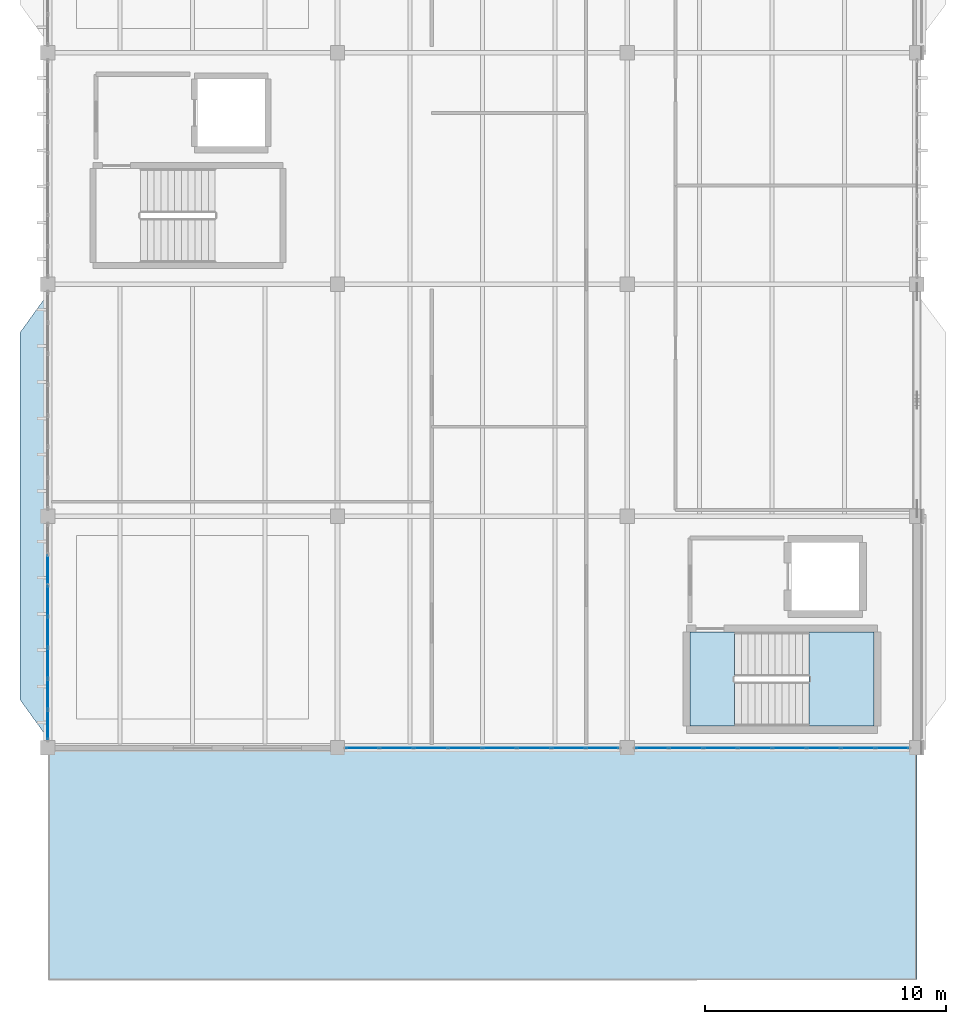
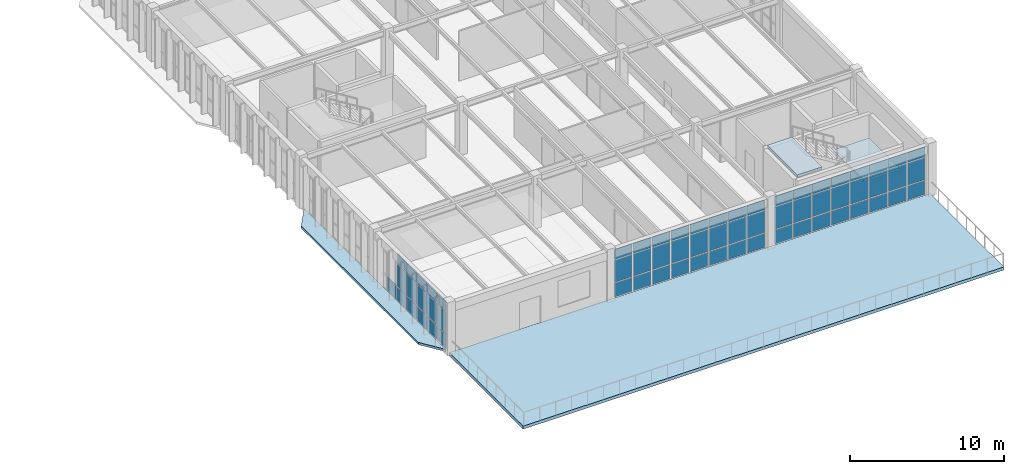
# One storey, part 26 of 37: 64 plates, 4 slabs, 4 elements without a shape of their own.
"""IFC4 building model written with IfcOpenShell, lengths in metres."""

from ifc_helpers import new_model, si_unit, direction, frame, origin, origin_2d, place, context, subcontext, project, spatial, polyline, rectangle, outline, extrude, material, layer, layer_set, type_object, element, aggregate, save


model = new_model("IFC4")

# Units and contexts
model_context = context("Model", 3, precision=1e-05, world=origin(), true_north=direction((0.0, 1.0)))
body_context = subcontext(model_context, "Body", "Model", "MODEL_VIEW")
ifc_project = project(units=[si_unit("LENGTHUNIT", "METRE"), si_unit("AREAUNIT", "SQUARE_METRE"), si_unit("VOLUMEUNIT", "CUBIC_METRE"), si_unit("PLANEANGLEUNIT", "RADIAN"), si_unit("MASSUNIT", "GRAM", prefix="KILO")], contexts=[model_context])

# Site, building, storey
site_placement = place(None, origin())
site = spatial("IfcSite", under=ifc_project, at=site_placement, CompositionType="ELEMENT")
building_placement = place(site_placement, origin())
building = spatial("IfcBuilding", under=site, at=building_placement, Name="Pandanus Reach Market Hall", CompositionType="ELEMENT")
storey_placement = place(building_placement, frame((0.0, 0.0, 14.39990234375)))
storey = spatial("IfcBuildingStorey", under=building, at=storey_placement, Name="L03", CompositionType="ELEMENT", Elevation=14.39990234375)

# Curtain wall, plates
ifc_material_1 = material(Name="Bronze anodised aluminium and low-E glass", Category="aluminium")
ifc_layer_1 = layer(ifc_material_1, 0.159912109375, Name="CW-30")
ifc_layer_set_1 = layer_set([ifc_layer_1], Name="Bronze anodised aluminium and low-E glass")
curtain_wall_type_1 = type_object("IfcCurtainWallType", Name="CW-30", PredefinedType="NOTDEFINED", material=ifc_layer_set_1)
curtain_wall_1_placement = place(storey_placement, origin())
curtain_wall_1 = element("IfcCurtainWall", 1, at=curtain_wall_1_placement, inside=storey, type_object=curtain_wall_type_1, Name="Glazed curtain wall CW-30 CW-0116", PredefinedType="NOTDEFINED")
ifc_material_2 = material(Name="Solar-control double glazing", Category="glass")
ifc_layer_2 = layer(ifc_material_2, 0.028076171875, Name="CW-P1")
ifc_layer_set_2 = layer_set([ifc_layer_2], Name="Solar-control double glazing")
plate_type = type_object("IfcPlateType", Name="CW-P1", PredefinedType="CURTAIN_PANEL", material=ifc_layer_set_2)
plate_1_placement = place(storey_placement, frame((157.02880859375, 28.800048828125, 0.065185546875), z_axis=(0.0, 0.0, 1.0), x_axis=(1.0, 0.0, 0.0)))
plate_1 = element("IfcPlate", 2, at=plate_1_placement, type_object=plate_type, Name="CW-30 panel 1.1", PredefinedType="CURTAIN_PANEL", context=body_context, shape_type="SweptSolid", body=[
    extrude(rectangle(XDim=1.327392578125, YDim=0.028076171875, at=origin_2d()), origin(), (0.0, 0.0, 1.0), 1.1025390625),
])
plate_2_placement = place(storey_placement, frame((157.02880859375, 28.800048828125, 1.232421875), z_axis=(0.0, 0.0, 1.0), x_axis=(1.0, 0.0, 0.0)))
plate_2 = element("IfcPlate", 3, at=plate_2_placement, type_object=plate_type, Name="CW-30 panel 1.2", PredefinedType="CURTAIN_PANEL", context=body_context, shape_type="SweptSolid", body=[
    extrude(rectangle(XDim=1.327392578125, YDim=0.028076171875, at=origin_2d()), origin(), (0.0, 0.0, 1.0), 1.735107421875),
])
plate_3_placement = place(storey_placement, frame((157.02880859375, 28.800048828125, 3.03271484375), z_axis=(0.0, 0.0, 1.0), x_axis=(1.0, 0.0, 0.0)))
plate_3 = element("IfcPlate", 4, at=plate_3_placement, type_object=plate_type, Name="CW-30 panel 1.3", PredefinedType="CURTAIN_PANEL", context=body_context, shape_type="SweptSolid", body=[
    extrude(rectangle(XDim=1.327392578125, YDim=0.028076171875, at=origin_2d()), origin(), (0.0, 0.0, 1.0), 0.802490234375),
])
plate_4_placement = place(storey_placement, frame((158.4375, 28.800048828125, 0.065185546875), z_axis=(0.0, 0.0, 1.0), x_axis=(1.0, 0.0, 0.0)))
plate_4 = element("IfcPlate", 5, at=plate_4_placement, type_object=plate_type, Name="CW-30 panel 2.1", PredefinedType="CURTAIN_PANEL", context=body_context, shape_type="SweptSolid", body=[
    extrude(rectangle(XDim=1.360107421875, YDim=0.028076171875, at=origin_2d()), origin(), (0.0, 0.0, 1.0), 1.1025390625),
])
plate_5_placement = place(storey_placement, frame((158.4375, 28.800048828125, 1.232421875), z_axis=(0.0, 0.0, 1.0), x_axis=(1.0, 0.0, 0.0)))
plate_5 = element("IfcPlate", 6, at=plate_5_placement, type_object=plate_type, Name="CW-30 panel 2.2", PredefinedType="CURTAIN_PANEL", context=body_context, shape_type="SweptSolid", body=[
    extrude(rectangle(XDim=1.360107421875, YDim=0.028076171875, at=origin_2d()), origin(), (0.0, 0.0, 1.0), 1.735107421875),
])
plate_6_placement = place(storey_placement, frame((158.4375, 28.800048828125, 3.03271484375), z_axis=(0.0, 0.0, 1.0), x_axis=(1.0, 0.0, 0.0)))
plate_6 = element("IfcPlate", 7, at=plate_6_placement, type_object=plate_type, Name="CW-30 panel 2.3", PredefinedType="CURTAIN_PANEL", context=body_context, shape_type="SweptSolid", body=[
    extrude(rectangle(XDim=1.360107421875, YDim=0.028076171875, at=origin_2d()), origin(), (0.0, 0.0, 1.0), 0.802490234375),
])
plate_7_placement = place(storey_placement, frame((159.862548828125, 28.800048828125, 0.065185546875), z_axis=(0.0, 0.0, 1.0), x_axis=(1.0, 0.0, 0.0)))
plate_7 = element("IfcPlate", 8, at=plate_7_placement, type_object=plate_type, Name="CW-30 panel 3.1", PredefinedType="CURTAIN_PANEL", context=body_context, shape_type="SweptSolid", body=[
    extrude(rectangle(XDim=1.360107421875, YDim=0.028076171875, at=origin_2d()), origin(), (0.0, 0.0, 1.0), 1.1025390625),
])
plate_8_placement = place(storey_placement, frame((159.862548828125, 28.800048828125, 1.232421875), z_axis=(0.0, 0.0, 1.0), x_axis=(1.0, 0.0, 0.0)))
plate_8 = element("IfcPlate", 9, at=plate_8_placement, type_object=plate_type, Name="CW-30 panel 3.2", PredefinedType="CURTAIN_PANEL", context=body_context, shape_type="SweptSolid", body=[
    extrude(rectangle(XDim=1.360107421875, YDim=0.028076171875, at=origin_2d()), origin(), (0.0, 0.0, 1.0), 1.735107421875),
])
plate_9_placement = place(storey_placement, frame((159.862548828125, 28.800048828125, 3.03271484375), z_axis=(0.0, 0.0, 1.0), x_axis=(1.0, 0.0, 0.0)))
plate_9 = element("IfcPlate", 10, at=plate_9_placement, type_object=plate_type, Name="CW-30 panel 3.3", PredefinedType="CURTAIN_PANEL", context=body_context, shape_type="SweptSolid", body=[
    extrude(rectangle(XDim=1.360107421875, YDim=0.028076171875, at=origin_2d()), origin(), (0.0, 0.0, 1.0), 0.802490234375),
])
plate_10_placement = place(storey_placement, frame((161.28759765625, 28.800048828125, 0.065185546875), z_axis=(0.0, 0.0, 1.0), x_axis=(1.0, 0.0, 0.0)))
plate_10 = element("IfcPlate", 11, at=plate_10_placement, type_object=plate_type, Name="CW-30 panel 4.1", PredefinedType="CURTAIN_PANEL", context=body_context, shape_type="SweptSolid", body=[
    extrude(rectangle(XDim=1.360107421875, YDim=0.028076171875, at=origin_2d()), origin(), (0.0, 0.0, 1.0), 1.1025390625),
])
plate_11_placement = place(storey_placement, frame((161.28759765625, 28.800048828125, 1.232421875), z_axis=(0.0, 0.0, 1.0), x_axis=(1.0, 0.0, 0.0)))
plate_11 = element("IfcPlate", 12, at=plate_11_placement, type_object=plate_type, Name="CW-30 panel 4.2", PredefinedType="CURTAIN_PANEL", context=body_context, shape_type="SweptSolid", body=[
    extrude(rectangle(XDim=1.360107421875, YDim=0.028076171875, at=origin_2d()), origin(), (0.0, 0.0, 1.0), 1.735107421875),
])
plate_12_placement = place(storey_placement, frame((161.28759765625, 28.800048828125, 3.03271484375), z_axis=(0.0, 0.0, 1.0), x_axis=(1.0, 0.0, 0.0)))
plate_12 = element("IfcPlate", 13, at=plate_12_placement, type_object=plate_type, Name="CW-30 panel 4.3", PredefinedType="CURTAIN_PANEL", context=body_context, shape_type="SweptSolid", body=[
    extrude(rectangle(XDim=1.360107421875, YDim=0.028076171875, at=origin_2d()), origin(), (0.0, 0.0, 1.0), 0.802490234375),
])
plate_13_placement = place(storey_placement, frame((162.71240234375, 28.800048828125, 0.065185546875), z_axis=(0.0, 0.0, 1.0), x_axis=(1.0, 0.0, 0.0)))
plate_13 = element("IfcPlate", 14, at=plate_13_placement, type_object=plate_type, Name="CW-30 panel 5.1", PredefinedType="CURTAIN_PANEL", context=body_context, shape_type="SweptSolid", body=[
    extrude(rectangle(XDim=1.360107421875, YDim=0.028076171875, at=origin_2d()), origin(), (0.0, 0.0, 1.0), 1.1025390625),
])
plate_14_placement = place(storey_placement, frame((162.71240234375, 28.800048828125, 1.232421875), z_axis=(0.0, 0.0, 1.0), x_axis=(1.0, 0.0, 0.0)))
plate_14 = element("IfcPlate", 15, at=plate_14_placement, type_object=plate_type, Name="CW-30 panel 5.2", PredefinedType="CURTAIN_PANEL", context=body_context, shape_type="SweptSolid", body=[
    extrude(rectangle(XDim=1.360107421875, YDim=0.028076171875, at=origin_2d()), origin(), (0.0, 0.0, 1.0), 1.735107421875),
])
plate_15_placement = place(storey_placement, frame((162.71240234375, 28.800048828125, 3.03271484375), z_axis=(0.0, 0.0, 1.0), x_axis=(1.0, 0.0, 0.0)))
plate_15 = element("IfcPlate", 16, at=plate_15_placement, type_object=plate_type, Name="CW-30 panel 5.3", PredefinedType="CURTAIN_PANEL", context=body_context, shape_type="SweptSolid", body=[
    extrude(rectangle(XDim=1.360107421875, YDim=0.028076171875, at=origin_2d()), origin(), (0.0, 0.0, 1.0), 0.802490234375),
])
plate_16_placement = place(storey_placement, frame((164.137451171875, 28.800048828125, 0.065185546875), z_axis=(0.0, 0.0, 1.0), x_axis=(1.0, 0.0, 0.0)))
plate_16 = element("IfcPlate", 17, at=plate_16_placement, type_object=plate_type, Name="CW-30 panel 6.1", PredefinedType="CURTAIN_PANEL", context=body_context, shape_type="SweptSolid", body=[
    extrude(rectangle(XDim=1.360107421875, YDim=0.028076171875, at=origin_2d()), origin(), (0.0, 0.0, 1.0), 1.1025390625),
])
plate_17_placement = place(storey_placement, frame((164.137451171875, 28.800048828125, 1.232421875), z_axis=(0.0, 0.0, 1.0), x_axis=(1.0, 0.0, 0.0)))
plate_17 = element("IfcPlate", 18, at=plate_17_placement, type_object=plate_type, Name="CW-30 panel 6.2", PredefinedType="CURTAIN_PANEL", context=body_context, shape_type="SweptSolid", body=[
    extrude(rectangle(XDim=1.360107421875, YDim=0.028076171875, at=origin_2d()), origin(), (0.0, 0.0, 1.0), 1.735107421875),
])
plate_18_placement = place(storey_placement, frame((164.137451171875, 28.800048828125, 3.03271484375), z_axis=(0.0, 0.0, 1.0), x_axis=(1.0, 0.0, 0.0)))
plate_18 = element("IfcPlate", 19, at=plate_18_placement, type_object=plate_type, Name="CW-30 panel 6.3", PredefinedType="CURTAIN_PANEL", context=body_context, shape_type="SweptSolid", body=[
    extrude(rectangle(XDim=1.360107421875, YDim=0.028076171875, at=origin_2d()), origin(), (0.0, 0.0, 1.0), 0.802490234375),
])
plate_19_placement = place(storey_placement, frame((165.5625, 28.800048828125, 0.065185546875), z_axis=(0.0, 0.0, 1.0), x_axis=(1.0, 0.0, 0.0)))
plate_19 = element("IfcPlate", 20, at=plate_19_placement, type_object=plate_type, Name="CW-30 panel 7.1", PredefinedType="CURTAIN_PANEL", context=body_context, shape_type="SweptSolid", body=[
    extrude(rectangle(XDim=1.360107421875, YDim=0.028076171875, at=origin_2d()), origin(), (0.0, 0.0, 1.0), 1.1025390625),
])
plate_20_placement = place(storey_placement, frame((165.5625, 28.800048828125, 1.232421875), z_axis=(0.0, 0.0, 1.0), x_axis=(1.0, 0.0, 0.0)))
plate_20 = element("IfcPlate", 21, at=plate_20_placement, type_object=plate_type, Name="CW-30 panel 7.2", PredefinedType="CURTAIN_PANEL", context=body_context, shape_type="SweptSolid", body=[
    extrude(rectangle(XDim=1.360107421875, YDim=0.028076171875, at=origin_2d()), origin(), (0.0, 0.0, 1.0), 1.735107421875),
])
plate_21_placement = place(storey_placement, frame((165.5625, 28.800048828125, 3.03271484375), z_axis=(0.0, 0.0, 1.0), x_axis=(1.0, 0.0, 0.0)))
plate_21 = element("IfcPlate", 22, at=plate_21_placement, type_object=plate_type, Name="CW-30 panel 7.3", PredefinedType="CURTAIN_PANEL", context=body_context, shape_type="SweptSolid", body=[
    extrude(rectangle(XDim=1.360107421875, YDim=0.028076171875, at=origin_2d()), origin(), (0.0, 0.0, 1.0), 0.802490234375),
])
plate_22_placement = place(storey_placement, frame((166.97119140625, 28.800048828125, 0.065185546875), z_axis=(0.0, 0.0, 1.0), x_axis=(1.0, 0.0, 0.0)))
plate_22 = element("IfcPlate", 23, at=plate_22_placement, type_object=plate_type, Name="CW-30 panel 8.1", PredefinedType="CURTAIN_PANEL", context=body_context, shape_type="SweptSolid", body=[
    extrude(rectangle(XDim=1.327392578125, YDim=0.028076171875, at=origin_2d()), origin(), (0.0, 0.0, 1.0), 1.1025390625),
])
plate_23_placement = place(storey_placement, frame((166.97119140625, 28.800048828125, 1.232421875), z_axis=(0.0, 0.0, 1.0), x_axis=(1.0, 0.0, 0.0)))
plate_23 = element("IfcPlate", 24, at=plate_23_placement, type_object=plate_type, Name="CW-30 panel 8.2", PredefinedType="CURTAIN_PANEL", context=body_context, shape_type="SweptSolid", body=[
    extrude(rectangle(XDim=1.327392578125, YDim=0.028076171875, at=origin_2d()), origin(), (0.0, 0.0, 1.0), 1.735107421875),
])
plate_24_placement = place(storey_placement, frame((166.97119140625, 28.800048828125, 3.03271484375), z_axis=(0.0, 0.0, 1.0), x_axis=(1.0, 0.0, 0.0)))
plate_24 = element("IfcPlate", 25, at=plate_24_placement, type_object=plate_type, Name="CW-30 panel 8.3", PredefinedType="CURTAIN_PANEL", context=body_context, shape_type="SweptSolid", body=[
    extrude(rectangle(XDim=1.327392578125, YDim=0.028076171875, at=origin_2d()), origin(), (0.0, 0.0, 1.0), 0.802490234375),
])
aggregate(curtain_wall_1, [plate_1, plate_2, plate_3, plate_4, plate_5, plate_6, plate_7, plate_8, plate_9, plate_10, plate_11, plate_12, plate_13, plate_14, plate_15, plate_16, plate_17, plate_18, plate_19, plate_20, plate_21, plate_22, plate_23, plate_24])

curtain_wall_2_placement = place(storey_placement, origin())
curtain_wall_2 = element("IfcCurtainWall", 26, at=curtain_wall_2_placement, inside=storey, type_object=curtain_wall_type_1, Name="Glazed curtain wall CW-30 CW-0117", PredefinedType="NOTDEFINED")
plate_25_placement = place(storey_placement, frame((169.02880859375, 28.800048828125, 0.065185546875), z_axis=(0.0, 0.0, 1.0), x_axis=(1.0, 0.0, 0.0)))
plate_25 = element("IfcPlate", 27, at=plate_25_placement, type_object=plate_type, Name="CW-30 panel 1.1", PredefinedType="CURTAIN_PANEL", context=body_context, shape_type="SweptSolid", body=[
    extrude(rectangle(XDim=1.327392578125, YDim=0.028076171875, at=origin_2d()), origin(), (0.0, 0.0, 1.0), 1.1025390625),
])
plate_26_placement = place(storey_placement, frame((169.02880859375, 28.800048828125, 1.232421875), z_axis=(0.0, 0.0, 1.0), x_axis=(1.0, 0.0, 0.0)))
plate_26 = element("IfcPlate", 28, at=plate_26_placement, type_object=plate_type, Name="CW-30 panel 1.2", PredefinedType="CURTAIN_PANEL", context=body_context, shape_type="SweptSolid", body=[
    extrude(rectangle(XDim=1.327392578125, YDim=0.028076171875, at=origin_2d()), origin(), (0.0, 0.0, 1.0), 1.735107421875),
])
plate_27_placement = place(storey_placement, frame((169.02880859375, 28.800048828125, 3.03271484375), z_axis=(0.0, 0.0, 1.0), x_axis=(1.0, 0.0, 0.0)))
plate_27 = element("IfcPlate", 29, at=plate_27_placement, type_object=plate_type, Name="CW-30 panel 1.3", PredefinedType="CURTAIN_PANEL", context=body_context, shape_type="SweptSolid", body=[
    extrude(rectangle(XDim=1.327392578125, YDim=0.028076171875, at=origin_2d()), origin(), (0.0, 0.0, 1.0), 0.802490234375),
])
plate_28_placement = place(storey_placement, frame((170.4375, 28.800048828125, 0.065185546875), z_axis=(0.0, 0.0, 1.0), x_axis=(1.0, 0.0, 0.0)))
plate_28 = element("IfcPlate", 30, at=plate_28_placement, type_object=plate_type, Name="CW-30 panel 2.1", PredefinedType="CURTAIN_PANEL", context=body_context, shape_type="SweptSolid", body=[
    extrude(rectangle(XDim=1.360107421875, YDim=0.028076171875, at=origin_2d()), origin(), (0.0, 0.0, 1.0), 1.1025390625),
])
plate_29_placement = place(storey_placement, frame((170.4375, 28.800048828125, 1.232421875), z_axis=(0.0, 0.0, 1.0), x_axis=(1.0, 0.0, 0.0)))
plate_29 = element("IfcPlate", 31, at=plate_29_placement, type_object=plate_type, Name="CW-30 panel 2.2", PredefinedType="CURTAIN_PANEL", context=body_context, shape_type="SweptSolid", body=[
    extrude(rectangle(XDim=1.360107421875, YDim=0.028076171875, at=origin_2d()), origin(), (0.0, 0.0, 1.0), 1.735107421875),
])
plate_30_placement = place(storey_placement, frame((170.4375, 28.800048828125, 3.03271484375), z_axis=(0.0, 0.0, 1.0), x_axis=(1.0, 0.0, 0.0)))
plate_30 = element("IfcPlate", 32, at=plate_30_placement, type_object=plate_type, Name="CW-30 panel 2.3", PredefinedType="CURTAIN_PANEL", context=body_context, shape_type="SweptSolid", body=[
    extrude(rectangle(XDim=1.360107421875, YDim=0.028076171875, at=origin_2d()), origin(), (0.0, 0.0, 1.0), 0.802490234375),
])
plate_31_placement = place(storey_placement, frame((171.862548828125, 28.800048828125, 0.065185546875), z_axis=(0.0, 0.0, 1.0), x_axis=(1.0, 0.0, 0.0)))
plate_31 = element("IfcPlate", 33, at=plate_31_placement, type_object=plate_type, Name="CW-30 panel 3.1", PredefinedType="CURTAIN_PANEL", context=body_context, shape_type="SweptSolid", body=[
    extrude(rectangle(XDim=1.360107421875, YDim=0.028076171875, at=origin_2d()), origin(), (0.0, 0.0, 1.0), 1.1025390625),
])
plate_32_placement = place(storey_placement, frame((171.862548828125, 28.800048828125, 1.232421875), z_axis=(0.0, 0.0, 1.0), x_axis=(1.0, 0.0, 0.0)))
plate_32 = element("IfcPlate", 34, at=plate_32_placement, type_object=plate_type, Name="CW-30 panel 3.2", PredefinedType="CURTAIN_PANEL", context=body_context, shape_type="SweptSolid", body=[
    extrude(rectangle(XDim=1.360107421875, YDim=0.028076171875, at=origin_2d()), origin(), (0.0, 0.0, 1.0), 1.735107421875),
])
plate_33_placement = place(storey_placement, frame((171.862548828125, 28.800048828125, 3.03271484375), z_axis=(0.0, 0.0, 1.0), x_axis=(1.0, 0.0, 0.0)))
plate_33 = element("IfcPlate", 35, at=plate_33_placement, type_object=plate_type, Name="CW-30 panel 3.3", PredefinedType="CURTAIN_PANEL", context=body_context, shape_type="SweptSolid", body=[
    extrude(rectangle(XDim=1.360107421875, YDim=0.028076171875, at=origin_2d()), origin(), (0.0, 0.0, 1.0), 0.802490234375),
])
plate_34_placement = place(storey_placement, frame((173.28759765625, 28.800048828125, 0.065185546875), z_axis=(0.0, 0.0, 1.0), x_axis=(1.0, 0.0, 0.0)))
plate_34 = element("IfcPlate", 36, at=plate_34_placement, type_object=plate_type, Name="CW-30 panel 4.1", PredefinedType="CURTAIN_PANEL", context=body_context, shape_type="SweptSolid", body=[
    extrude(rectangle(XDim=1.360107421875, YDim=0.028076171875, at=origin_2d()), origin(), (0.0, 0.0, 1.0), 1.1025390625),
])
plate_35_placement = place(storey_placement, frame((173.28759765625, 28.800048828125, 1.232421875), z_axis=(0.0, 0.0, 1.0), x_axis=(1.0, 0.0, 0.0)))
plate_35 = element("IfcPlate", 37, at=plate_35_placement, type_object=plate_type, Name="CW-30 panel 4.2", PredefinedType="CURTAIN_PANEL", context=body_context, shape_type="SweptSolid", body=[
    extrude(rectangle(XDim=1.360107421875, YDim=0.028076171875, at=origin_2d()), origin(), (0.0, 0.0, 1.0), 1.735107421875),
])
plate_36_placement = place(storey_placement, frame((173.28759765625, 28.800048828125, 3.03271484375), z_axis=(0.0, 0.0, 1.0), x_axis=(1.0, 0.0, 0.0)))
plate_36 = element("IfcPlate", 38, at=plate_36_placement, type_object=plate_type, Name="CW-30 panel 4.3", PredefinedType="CURTAIN_PANEL", context=body_context, shape_type="SweptSolid", body=[
    extrude(rectangle(XDim=1.360107421875, YDim=0.028076171875, at=origin_2d()), origin(), (0.0, 0.0, 1.0), 0.802490234375),
])
plate_37_placement = place(storey_placement, frame((174.71240234375, 28.800048828125, 0.065185546875), z_axis=(0.0, 0.0, 1.0), x_axis=(1.0, 0.0, 0.0)))
plate_37 = element("IfcPlate", 39, at=plate_37_placement, type_object=plate_type, Name="CW-30 panel 5.1", PredefinedType="CURTAIN_PANEL", context=body_context, shape_type="SweptSolid", body=[
    extrude(rectangle(XDim=1.360107421875, YDim=0.028076171875, at=origin_2d()), origin(), (0.0, 0.0, 1.0), 1.1025390625),
])
plate_38_placement = place(storey_placement, frame((174.71240234375, 28.800048828125, 1.232421875), z_axis=(0.0, 0.0, 1.0), x_axis=(1.0, 0.0, 0.0)))
plate_38 = element("IfcPlate", 40, at=plate_38_placement, type_object=plate_type, Name="CW-30 panel 5.2", PredefinedType="CURTAIN_PANEL", context=body_context, shape_type="SweptSolid", body=[
    extrude(rectangle(XDim=1.360107421875, YDim=0.028076171875, at=origin_2d()), origin(), (0.0, 0.0, 1.0), 1.735107421875),
])
plate_39_placement = place(storey_placement, frame((174.71240234375, 28.800048828125, 3.03271484375), z_axis=(0.0, 0.0, 1.0), x_axis=(1.0, 0.0, 0.0)))
plate_39 = element("IfcPlate", 41, at=plate_39_placement, type_object=plate_type, Name="CW-30 panel 5.3", PredefinedType="CURTAIN_PANEL", context=body_context, shape_type="SweptSolid", body=[
    extrude(rectangle(XDim=1.360107421875, YDim=0.028076171875, at=origin_2d()), origin(), (0.0, 0.0, 1.0), 0.802490234375),
])
plate_40_placement = place(storey_placement, frame((176.137451171875, 28.800048828125, 0.065185546875), z_axis=(0.0, 0.0, 1.0), x_axis=(1.0, 0.0, 0.0)))
plate_40 = element("IfcPlate", 42, at=plate_40_placement, type_object=plate_type, Name="CW-30 panel 6.1", PredefinedType="CURTAIN_PANEL", context=body_context, shape_type="SweptSolid", body=[
    extrude(rectangle(XDim=1.360107421875, YDim=0.028076171875, at=origin_2d()), origin(), (0.0, 0.0, 1.0), 1.1025390625),
])
plate_41_placement = place(storey_placement, frame((176.137451171875, 28.800048828125, 1.232421875), z_axis=(0.0, 0.0, 1.0), x_axis=(1.0, 0.0, 0.0)))
plate_41 = element("IfcPlate", 43, at=plate_41_placement, type_object=plate_type, Name="CW-30 panel 6.2", PredefinedType="CURTAIN_PANEL", context=body_context, shape_type="SweptSolid", body=[
    extrude(rectangle(XDim=1.360107421875, YDim=0.028076171875, at=origin_2d()), origin(), (0.0, 0.0, 1.0), 1.735107421875),
])
plate_42_placement = place(storey_placement, frame((176.137451171875, 28.800048828125, 3.03271484375), z_axis=(0.0, 0.0, 1.0), x_axis=(1.0, 0.0, 0.0)))
plate_42 = element("IfcPlate", 44, at=plate_42_placement, type_object=plate_type, Name="CW-30 panel 6.3", PredefinedType="CURTAIN_PANEL", context=body_context, shape_type="SweptSolid", body=[
    extrude(rectangle(XDim=1.360107421875, YDim=0.028076171875, at=origin_2d()), origin(), (0.0, 0.0, 1.0), 0.802490234375),
])
plate_43_placement = place(storey_placement, frame((177.5625, 28.800048828125, 0.065185546875), z_axis=(0.0, 0.0, 1.0), x_axis=(1.0, 0.0, 0.0)))
plate_43 = element("IfcPlate", 45, at=plate_43_placement, type_object=plate_type, Name="CW-30 panel 7.1", PredefinedType="CURTAIN_PANEL", context=body_context, shape_type="SweptSolid", body=[
    extrude(rectangle(XDim=1.360107421875, YDim=0.028076171875, at=origin_2d()), origin(), (0.0, 0.0, 1.0), 1.1025390625),
])
plate_44_placement = place(storey_placement, frame((177.5625, 28.800048828125, 1.232421875), z_axis=(0.0, 0.0, 1.0), x_axis=(1.0, 0.0, 0.0)))
plate_44 = element("IfcPlate", 46, at=plate_44_placement, type_object=plate_type, Name="CW-30 panel 7.2", PredefinedType="CURTAIN_PANEL", context=body_context, shape_type="SweptSolid", body=[
    extrude(rectangle(XDim=1.360107421875, YDim=0.028076171875, at=origin_2d()), origin(), (0.0, 0.0, 1.0), 1.735107421875),
])
plate_45_placement = place(storey_placement, frame((177.5625, 28.800048828125, 3.03271484375), z_axis=(0.0, 0.0, 1.0), x_axis=(1.0, 0.0, 0.0)))
plate_45 = element("IfcPlate", 47, at=plate_45_placement, type_object=plate_type, Name="CW-30 panel 7.3", PredefinedType="CURTAIN_PANEL", context=body_context, shape_type="SweptSolid", body=[
    extrude(rectangle(XDim=1.360107421875, YDim=0.028076171875, at=origin_2d()), origin(), (0.0, 0.0, 1.0), 0.802490234375),
])
plate_46_placement = place(storey_placement, frame((178.97119140625, 28.800048828125, 0.065185546875), z_axis=(0.0, 0.0, 1.0), x_axis=(1.0, 0.0, 0.0)))
plate_46 = element("IfcPlate", 48, at=plate_46_placement, type_object=plate_type, Name="CW-30 panel 8.1", PredefinedType="CURTAIN_PANEL", context=body_context, shape_type="SweptSolid", body=[
    extrude(rectangle(XDim=1.327392578125, YDim=0.028076171875, at=origin_2d()), origin(), (0.0, 0.0, 1.0), 1.1025390625),
])
plate_47_placement = place(storey_placement, frame((178.97119140625, 28.800048828125, 1.232421875), z_axis=(0.0, 0.0, 1.0), x_axis=(1.0, 0.0, 0.0)))
plate_47 = element("IfcPlate", 49, at=plate_47_placement, type_object=plate_type, Name="CW-30 panel 8.2", PredefinedType="CURTAIN_PANEL", context=body_context, shape_type="SweptSolid", body=[
    extrude(rectangle(XDim=1.327392578125, YDim=0.028076171875, at=origin_2d()), origin(), (0.0, 0.0, 1.0), 1.735107421875),
])
plate_48_placement = place(storey_placement, frame((178.97119140625, 28.800048828125, 3.03271484375), z_axis=(0.0, 0.0, 1.0), x_axis=(1.0, 0.0, 0.0)))
plate_48 = element("IfcPlate", 50, at=plate_48_placement, type_object=plate_type, Name="CW-30 panel 8.3", PredefinedType="CURTAIN_PANEL", context=body_context, shape_type="SweptSolid", body=[
    extrude(rectangle(XDim=1.327392578125, YDim=0.028076171875, at=origin_2d()), origin(), (0.0, 0.0, 1.0), 0.802490234375),
])
aggregate(curtain_wall_2, [plate_25, plate_26, plate_27, plate_28, plate_29, plate_30, plate_31, plate_32, plate_33, plate_34, plate_35, plate_36, plate_37, plate_38, plate_39, plate_40, plate_41, plate_42, plate_43, plate_44, plate_45, plate_46, plate_47, plate_48])

ifc_layer_3 = layer(ifc_material_1, 0.159912109375, Name="CW-33")
ifc_layer_set_3 = layer_set([ifc_layer_3], Name="Bronze anodised aluminium and low-E glass")
curtain_wall_type_2 = type_object("IfcCurtainWallType", Name="CW-33", PredefinedType="NOTDEFINED", material=ifc_layer_set_3)
curtain_wall_3_placement = place(storey_placement, origin())
curtain_wall_3 = element("IfcCurtainWall", 51, at=curtain_wall_3_placement, inside=storey, type_object=curtain_wall_type_2, Name="Glazed curtain wall CW-33 CW-0122", PredefinedType="NOTDEFINED")
plate_49_placement = place(storey_placement, frame((144.0, 29.759033203125, 0.065185546875), z_axis=(0.0, 0.0, 1.0), x_axis=(0.0, 1.0, 0.0)))
plate_49 = element("IfcPlate", 52, at=plate_49_placement, type_object=plate_type, Name="CW-33 panel 1.1", PredefinedType="CURTAIN_PANEL", context=body_context, shape_type="SweptSolid", body=[
    extrude(rectangle(XDim=1.188232421875, YDim=0.028076171875, at=origin_2d()), origin(), (0.0, 0.0, 1.0), 1.1025390625),
])
plate_50_placement = place(storey_placement, frame((144.0, 29.759033203125, 1.232421875), z_axis=(0.0, 0.0, 1.0), x_axis=(0.0, 1.0, 0.0)))
plate_50 = element("IfcPlate", 53, at=plate_50_placement, type_object=plate_type, Name="CW-33 panel 1.2", PredefinedType="CURTAIN_PANEL", context=body_context, shape_type="SweptSolid", body=[
    extrude(rectangle(XDim=1.188232421875, YDim=0.028076171875, at=origin_2d()), origin(), (0.0, 0.0, 1.0), 1.735107421875),
])
plate_51_placement = place(storey_placement, frame((144.0, 29.759033203125, 3.03271484375), z_axis=(0.0, 0.0, 1.0), x_axis=(0.0, 1.0, 0.0)))
plate_51 = element("IfcPlate", 54, at=plate_51_placement, type_object=plate_type, Name="CW-33 panel 1.3", PredefinedType="CURTAIN_PANEL", context=body_context, shape_type="SweptSolid", body=[
    extrude(rectangle(XDim=1.188232421875, YDim=0.028076171875, at=origin_2d()), origin(), (0.0, 0.0, 1.0), 0.802490234375),
])
plate_52_placement = place(storey_placement, frame((144.0, 31.028564453125, 0.065185546875), z_axis=(0.0, 0.0, 1.0), x_axis=(0.0, 1.0, 0.0)))
plate_52 = element("IfcPlate", 55, at=plate_52_placement, type_object=plate_type, Name="CW-33 panel 2.1", PredefinedType="CURTAIN_PANEL", context=body_context, shape_type="SweptSolid", body=[
    extrude(rectangle(XDim=1.220703125, YDim=0.028076171875, at=origin_2d()), origin(), (0.0, 0.0, 1.0), 1.1025390625),
])
plate_53_placement = place(storey_placement, frame((144.0, 31.028564453125, 1.232421875), z_axis=(0.0, 0.0, 1.0), x_axis=(0.0, 1.0, 0.0)))
plate_53 = element("IfcPlate", 56, at=plate_53_placement, type_object=plate_type, Name="CW-33 panel 2.2", PredefinedType="CURTAIN_PANEL", context=body_context, shape_type="SweptSolid", body=[
    extrude(rectangle(XDim=1.220703125, YDim=0.028076171875, at=origin_2d()), origin(), (0.0, 0.0, 1.0), 1.735107421875),
])
plate_54_placement = place(storey_placement, frame((144.0, 31.028564453125, 3.03271484375), z_axis=(0.0, 0.0, 1.0), x_axis=(0.0, 1.0, 0.0)))
plate_54 = element("IfcPlate", 57, at=plate_54_placement, type_object=plate_type, Name="CW-33 panel 2.3", PredefinedType="CURTAIN_PANEL", context=body_context, shape_type="SweptSolid", body=[
    extrude(rectangle(XDim=1.220703125, YDim=0.028076171875, at=origin_2d()), origin(), (0.0, 0.0, 1.0), 0.802490234375),
])
plate_55_placement = place(storey_placement, frame((144.0, 32.314208984375, 0.065185546875), z_axis=(0.0, 0.0, 1.0), x_axis=(0.0, 1.0, 0.0)))
plate_55 = element("IfcPlate", 58, at=plate_55_placement, type_object=plate_type, Name="CW-33 panel 3.1", PredefinedType="CURTAIN_PANEL", context=body_context, shape_type="SweptSolid", body=[
    extrude(rectangle(XDim=1.220703125, YDim=0.028076171875, at=origin_2d()), origin(), (0.0, 0.0, 1.0), 1.1025390625),
])
plate_56_placement = place(storey_placement, frame((144.0, 32.314208984375, 1.232421875), z_axis=(0.0, 0.0, 1.0), x_axis=(0.0, 1.0, 0.0)))
plate_56 = element("IfcPlate", 59, at=plate_56_placement, type_object=plate_type, Name="CW-33 panel 3.2", PredefinedType="CURTAIN_PANEL", context=body_context, shape_type="SweptSolid", body=[
    extrude(rectangle(XDim=1.220703125, YDim=0.028076171875, at=origin_2d()), origin(), (0.0, 0.0, 1.0), 1.735107421875),
])
plate_57_placement = place(storey_placement, frame((144.0, 32.314208984375, 3.03271484375), z_axis=(0.0, 0.0, 1.0), x_axis=(0.0, 1.0, 0.0)))
plate_57 = element("IfcPlate", 60, at=plate_57_placement, type_object=plate_type, Name="CW-33 panel 3.3", PredefinedType="CURTAIN_PANEL", context=body_context, shape_type="SweptSolid", body=[
    extrude(rectangle(XDim=1.220703125, YDim=0.028076171875, at=origin_2d()), origin(), (0.0, 0.0, 1.0), 0.802490234375),
])
plate_58_placement = place(storey_placement, frame((144.0, 33.60009765625, 0.065185546875), z_axis=(0.0, 0.0, 1.0), x_axis=(0.0, 1.0, 0.0)))
plate_58 = element("IfcPlate", 61, at=plate_58_placement, type_object=plate_type, Name="CW-33 panel 4.1", PredefinedType="CURTAIN_PANEL", context=body_context, shape_type="SweptSolid", body=[
    extrude(rectangle(XDim=1.220703125, YDim=0.028076171875, at=origin_2d()), origin(), (0.0, 0.0, 1.0), 1.1025390625),
])
plate_59_placement = place(storey_placement, frame((144.0, 33.60009765625, 1.232421875), z_axis=(0.0, 0.0, 1.0), x_axis=(0.0, 1.0, 0.0)))
plate_59 = element("IfcPlate", 62, at=plate_59_placement, type_object=plate_type, Name="CW-33 panel 4.2", PredefinedType="CURTAIN_PANEL", context=body_context, shape_type="SweptSolid", body=[
    extrude(rectangle(XDim=1.220703125, YDim=0.028076171875, at=origin_2d()), origin(), (0.0, 0.0, 1.0), 1.735107421875),
])
plate_60_placement = place(storey_placement, frame((144.0, 33.60009765625, 3.03271484375), z_axis=(0.0, 0.0, 1.0), x_axis=(0.0, 1.0, 0.0)))
plate_60 = element("IfcPlate", 63, at=plate_60_placement, type_object=plate_type, Name="CW-33 panel 4.3", PredefinedType="CURTAIN_PANEL", context=body_context, shape_type="SweptSolid", body=[
    extrude(rectangle(XDim=1.220703125, YDim=0.028076171875, at=origin_2d()), origin(), (0.0, 0.0, 1.0), 0.802490234375),
])
plate_61_placement = place(storey_placement, frame((144.0, 34.8857421875, 0.065185546875), z_axis=(0.0, 0.0, 1.0), x_axis=(0.0, 1.0, 0.0)))
plate_61 = element("IfcPlate", 64, at=plate_61_placement, type_object=plate_type, Name="CW-33 panel 5.1", PredefinedType="CURTAIN_PANEL", context=body_context, shape_type="SweptSolid", body=[
    extrude(rectangle(XDim=1.220703125, YDim=0.028076171875, at=origin_2d()), origin(), (0.0, 0.0, 1.0), 1.1025390625),
])
plate_62_placement = place(storey_placement, frame((144.0, 34.8857421875, 1.232421875), z_axis=(0.0, 0.0, 1.0), x_axis=(0.0, 1.0, 0.0)))
plate_62 = element("IfcPlate", 65, at=plate_62_placement, type_object=plate_type, Name="CW-33 panel 5.2", PredefinedType="CURTAIN_PANEL", context=body_context, shape_type="SweptSolid", body=[
    extrude(rectangle(XDim=1.220703125, YDim=0.028076171875, at=origin_2d()), origin(), (0.0, 0.0, 1.0), 1.735107421875),
])
plate_63_placement = place(storey_placement, frame((144.0, 34.8857421875, 3.03271484375), z_axis=(0.0, 0.0, 1.0), x_axis=(0.0, 1.0, 0.0)))
plate_63 = element("IfcPlate", 66, at=plate_63_placement, type_object=plate_type, Name="CW-33 panel 5.3", PredefinedType="CURTAIN_PANEL", context=body_context, shape_type="SweptSolid", body=[
    extrude(rectangle(XDim=1.220703125, YDim=0.028076171875, at=origin_2d()), origin(), (0.0, 0.0, 1.0), 0.802490234375),
])
plate_64_placement = place(storey_placement, frame((144.0, 36.17138671875, 0.065185546875), z_axis=(0.0, 0.0, 1.0), x_axis=(0.0, 1.0, 0.0)))
plate_64 = element("IfcPlate", 67, at=plate_64_placement, type_object=plate_type, Name="CW-33 panel 6.1", PredefinedType="CURTAIN_PANEL", context=body_context, shape_type="SweptSolid", body=[
    extrude(rectangle(XDim=1.220703125, YDim=0.028076171875, at=origin_2d()), origin(), (0.0, 0.0, 1.0), 1.1025390625),
])
aggregate(curtain_wall_3, [plate_49, plate_50, plate_51, plate_52, plate_53, plate_54, plate_55, plate_56, plate_57, plate_58, plate_59, plate_60, plate_61, plate_62, plate_63, plate_64])

# Slabs
ifc_material_3 = material(Name="Concrete N50 (50 MPa)", Category="concrete")
ifc_layer_4 = layer(ifc_material_3, 0.179931640625, Name="RF-CNP-180")
ifc_layer_set_4 = layer_set([ifc_layer_4], Name="Concrete N50 (50 MPa)")
slab_type_1 = type_object("IfcSlabType", Name="RF-CNP-180", PredefinedType="ROOF", material=ifc_layer_set_4)
slab_1_placement = place(storey_placement, frame((0.0, 0.0, -0.179931640625)))
element("IfcSlab", 68, at=slab_1_placement, inside=storey, type_object=slab_type_1, Name="Sculpted concrete brise-soleil hood 22", PredefinedType="ROOF", context=body_context, shape_type="SweptSolid", body=[
    extrude(outline(polyline([(144.0, 29.199951171875), (144.0, 47.60009765625), (142.85009765625, 46.0), (142.85009765625, 30.800048828125), (144.0, 29.199951171875)])), origin(), (0.0, 0.0, 1.0), 0.179931640625),
])
ifc_material_4 = material(Name="Concrete N40 (40 MPa)", Category="concrete")
ifc_layer_5 = layer(ifc_material_4, 0.2451171875, Name="SL-EXT-GDN")
ifc_layer_set_5 = layer_set([ifc_layer_5], Name="Concrete N40 (40 MPa)")
slab_type_2 = type_object("IfcSlabType", Name="SL-EXT-GDN", PredefinedType="FLOOR", material=ifc_layer_set_5)
slab_2_placement = place(storey_placement, frame((0.0, 0.0, -0.244873046875)))
element("IfcSlab", 69, at=slab_2_placement, inside=storey, type_object=slab_type_2, Name="Culinary Herb Roof Garden L03", PredefinedType="FLOOR", context=body_context, shape_type="SweptSolid", body=[
    extrude(outline(polyline([(144.0, 19.199951171875), (180.0, 19.199951171875), (180.0, 28.800048828125), (144.0, 28.800048828125), (144.0, 19.199951171875)])), origin(), (0.0, 0.0, 1.0), 0.244873046875),
])

# Stair, slabs
stair_type = type_object("IfcStairType", Name="STR-04", PredefinedType="HALF_TURN_STAIR", material=ifc_material_4)
stair_placement = place(storey_placement, origin())
stair = element("IfcStair", 70, at=stair_placement, inside=storey, type_object=stair_type, Name="Stair ST-01 L03", PredefinedType="HALF_TURN_STAIR")
ifc_layer_6 = layer(ifc_material_4, 0.199951171875, Name="SL-LND-200")
ifc_layer_set_6 = layer_set([ifc_layer_6], Name="Concrete N40 (40 MPa)")
slab_type_3 = type_object("IfcSlabType", Name="SL-LND-200", PredefinedType="LANDING", material=ifc_layer_set_6)
slab_3_placement = place(storey_placement, frame((0.0, 0.0, 1.900146484375)))
slab_3 = element("IfcSlab", 71, at=slab_3_placement, type_object=slab_type_3, Name="STR-04 landing 1", PredefinedType="LANDING", context=body_context, shape_type="SweptSolid", body=[
    extrude(outline(polyline([(175.530029296875, 29.699951171875), (178.219970703125, 29.699951171875), (178.219970703125, 33.60009765625), (175.530029296875, 33.60009765625), (175.530029296875, 29.699951171875)])), origin(), (0.0, 0.0, 1.0), 0.199951171875),
])
slab_4_placement = place(storey_placement, frame((0.0, 0.0, 4.0)))
slab_4 = element("IfcSlab", 72, at=slab_4_placement, type_object=slab_type_3, Name="STR-04 landing 2", PredefinedType="LANDING", context=body_context, shape_type="SweptSolid", body=[
    extrude(outline(polyline([(170.60009765625, 29.699951171875), (172.449951171875, 29.699951171875), (172.449951171875, 33.60009765625), (170.60009765625, 33.60009765625), (170.60009765625, 29.699951171875)])), origin(), (0.0, 0.0, 1.0), 0.2001953125),
])
aggregate(stair, [slab_3, slab_4])

save(model, "model.ifc")
